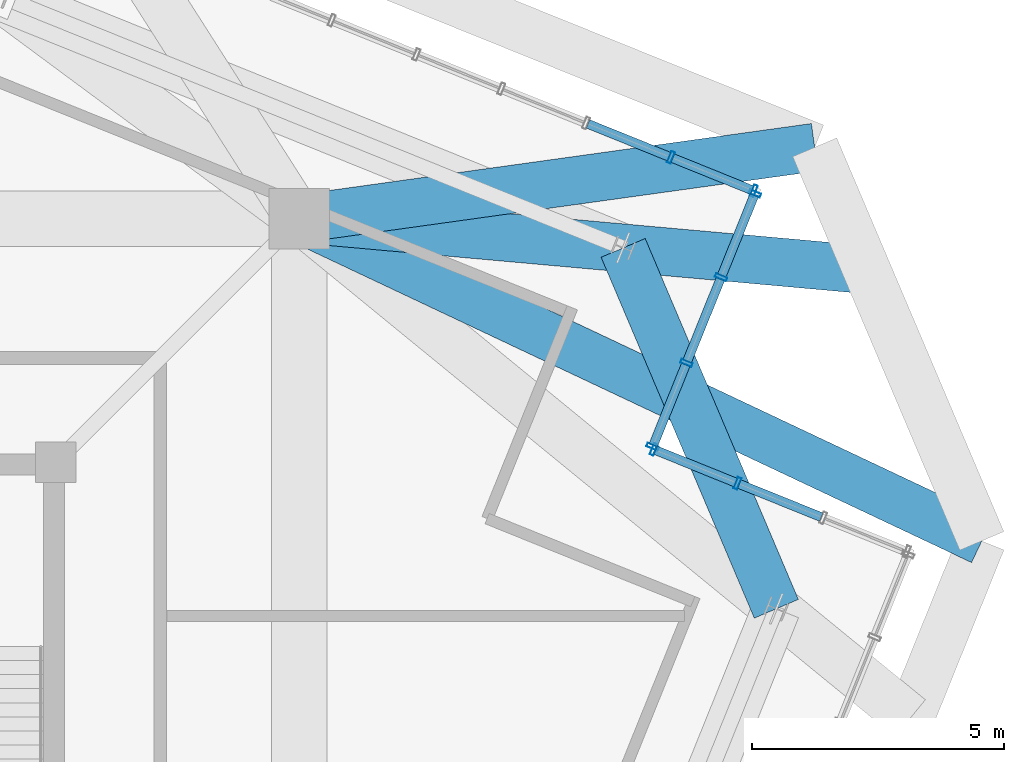
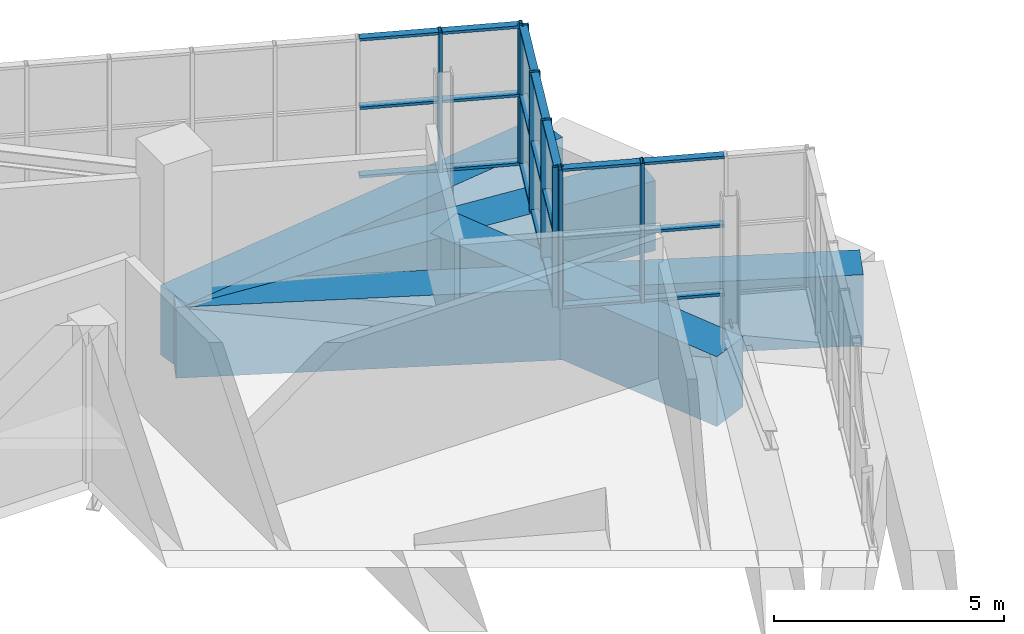
# One storey, part 25 of 35: 29 members, 4 beams, 3 elements without a shape of their own.
"""IFC4 building model written with IfcOpenShell, lengths in metres."""

from ifc_helpers import new_model, si_unit, direction, frame, origin, origin_2d, place, context, subcontext, project, spatial, rectangle, hollow_rectangle, extrude, source, transform, mapped, material, layer, layer_set, material_profile, profile_set, type_object, element, aggregate, save


model = new_model("IFC4")

# Units and contexts
model_context = context("Model", 3, precision=1e-05, world=origin(), true_north=direction((0.0, 1.0)))
body_context = subcontext(model_context, "Body", "Model", "MODEL_VIEW")
ifc_project = project(units=[si_unit("LENGTHUNIT", "METRE"), si_unit("AREAUNIT", "SQUARE_METRE"), si_unit("VOLUMEUNIT", "CUBIC_METRE"), si_unit("PLANEANGLEUNIT", "RADIAN"), si_unit("MASSUNIT", "GRAM", prefix="KILO"), si_unit("THERMODYNAMICTEMPERATUREUNIT", "KELVIN")], contexts=[model_context])

# Site, building, storey
site_placement = place(None, origin())
site = spatial("IfcSite", under=ifc_project, at=site_placement, CompositionType="ELEMENT")
building_placement = place(site_placement, origin())
building = spatial("IfcBuilding", under=site, at=building_placement, Name="Kosmvard Interchange Tower", CompositionType="ELEMENT")
storey_placement = place(building_placement, frame((0.0, 0.0, 321.60009765625)))
storey = spatial("IfcBuildingStorey", under=building, at=storey_placement, Name="L79", CompositionType="ELEMENT", Elevation=321.60009765625)

# Beams
ifc_material_1 = material(Name="Concrete C60/75", Category="concrete")
ifc_material_profile_1 = material_profile(ifc_material_1, rectangle(XDim=0.949951171875, YDim=1.85009765625, at=origin_2d()), Name="TG 950x1850")
ifc_profile_set_1 = profile_set([ifc_material_profile_1], Name="Concrete C60/75")
beam_type_1 = type_object("IfcBeamType", Name="Upper Transfer Ring Girder 950x1850 C60/75", PredefinedType="USERDEFINED", material=ifc_profile_set_1)
shared_shape_1 = source(origin(), body_context, "Body", "SweptSolid", [
    extrude(rectangle(XDim=0.949951171875, YDim=1.85009765625, at=origin_2d()), origin(), (0.0, 0.0, 1.0), 10.3212890625),
])
beam_1_placement = place(storey_placement, frame((13.0810546875, 13.0810546875, -0.925048828125), z_axis=(0.990491735984, 0.137572239014, 0.0), x_axis=(-0.137572239014, 0.990491735984, 0.0)))
element("IfcBeam", 1, at=beam_1_placement, inside=storey, type_object=beam_type_1, Name="BM-L79-LD04", ObjectType="TRANSFER_GIRDER", PredefinedType="USERDEFINED", context=body_context, shape_type="MappedRepresentation", body=[
    mapped(shared_shape_1, transform((0.0, 0.0, 0.0), scale=1.0)),
])
ifc_material_profile_2 = material_profile(ifc_material_1, rectangle(XDim=0.949951171875, YDim=1.8798828125, at=origin_2d()), Name="TG 950x1880")
ifc_profile_set_2 = profile_set([ifc_material_profile_2], Name="Concrete C60/75")
beam_type_2 = type_object("IfcBeamType", Name="Upper Long-Span Transfer Girder 950x1880 C60/75", PredefinedType="USERDEFINED", material=ifc_profile_set_2)
shared_shape_2 = source(origin(), body_context, "Body", "SweptSolid", [
    extrude(rectangle(XDim=0.949951171875, YDim=1.8798828125, at=origin_2d()), origin(), (0.0, 0.0, 1.0), 14.97119140625),
])
beam_2_placement = place(storey_placement, frame((13.0810546875, 13.0810546875, -0.940185546875), z_axis=(0.904309155001, -0.426878146761, 0.0), x_axis=(0.426878146761, 0.904309155001, 0.0)))
element("IfcBeam", 2, at=beam_2_placement, inside=storey, type_object=beam_type_2, Name="BM-L79-LD03", ObjectType="TRANSFER_GIRDER", PredefinedType="USERDEFINED", context=body_context, shape_type="MappedRepresentation", body=[
    mapped(shared_shape_2, transform((0.0, 0.0, 0.0), scale=1.0)),
])
shared_shape_3 = source(origin(), body_context, "Body", "SweptSolid", [
    extrude(rectangle(XDim=0.949951171875, YDim=1.85009765625, at=origin_2d()), origin(), (0.0, 0.0, 1.0), 11.30029296875),
])
beam_3_placement = place(storey_placement, frame((13.0810546875, 13.0810546875, -0.925048828125), z_axis=(0.995989854688, -0.089466247034, 0.0), x_axis=(0.089466247034, 0.995989854688, 0.0)))
element("IfcBeam", 3, at=beam_3_placement, inside=storey, type_object=beam_type_1, Name="BM-L79-RD04", ObjectType="TRANSFER_GIRDER", PredefinedType="USERDEFINED", context=body_context, shape_type="MappedRepresentation", body=[
    mapped(shared_shape_3, transform((0.0, 0.0, 0.0), scale=1.0)),
])
shared_shape_4 = source(origin(), body_context, "Body", "SweptSolid", [
    extrude(rectangle(XDim=0.949951171875, YDim=1.85009765625, at=origin_2d()), origin(), (0.0, 0.0, 1.0), 7.778076171875),
])
beam_4_placement = place(storey_placement, frame((22.54345703125, 5.34423828125, -0.925048828125), z_axis=(-0.39071589075, 0.92051132134, 0.0), x_axis=(-0.92051132134, -0.39071589075, 0.0)))
element("IfcBeam", 4, at=beam_4_placement, inside=storey, type_object=beam_type_1, Name="BM-L79-PR03", ObjectType="TRANSFER_GIRDER", PredefinedType="USERDEFINED", context=body_context, shape_type="MappedRepresentation", body=[
    mapped(shared_shape_4, transform((0.0, 0.0, 0.0), scale=1.0)),
])

# Curtain wall, members
ifc_material_2 = material(Name="Architectural anodised aluminium", Category="aluminium")
ifc_layer = layer(ifc_material_2, 0.25, Name="Architectural anodised aluminium")
ifc_layer_set = layer_set([ifc_layer], Name="Architectural anodised aluminium")
curtain_wall_type = type_object("IfcCurtainWallType", Name="CW-6 Illuminated Crown Lantern Curtain Wall", PredefinedType="NOTDEFINED", material=ifc_layer_set)
curtain_wall_1_placement = place(storey_placement, origin())
curtain_wall_1 = element("IfcCurtainWall", 5, at=curtain_wall_1_placement, inside=storey, type_object=curtain_wall_type, Name="L79 Crown Lantern Glazing Face 02", PredefinedType="NOTDEFINED")
ifc_material_profile_3 = material_profile(ifc_material_2, hollow_rectangle(XDim=0.239990234375, YDim=0.080078125, WallThickness=0.006103515625, at=origin_2d()), Name="CWM 240x80x6")
ifc_profile_set_3 = profile_set([ifc_material_profile_3], Name="Architectural anodised aluminium")
member_type_1 = type_object("IfcMemberType", Name="Lantern & Observation CW Mullion 240x80 Aluminium", PredefinedType="MULLION", material=ifc_profile_set_3)
shared_shape_5 = source(origin(), body_context, "Body", "SweptSolid", [
    extrude(hollow_rectangle(XDim=0.239990234375, YDim=0.080078125, WallThickness=0.006103515625, at=origin_2d()), origin(), (0.0, 0.0, 1.0), 3.699951171875),
])
member_1_placement = place(storey_placement, frame((21.7734375, 7.833984375, 0.0), z_axis=(0.0, 0.0, 1.0), x_axis=(-0.374606564822, -0.92718386612, 0.0)))
member_1 = element("IfcMember", 6, at=member_1_placement, type_object=member_type_1, Name="CW-6 mullion 3", PredefinedType="MULLION", context=body_context, shape_type="MappedRepresentation", body=[
    mapped(shared_shape_5, transform((0.0, 0.0, 0.0), scale=1.0)),
])
member_2_placement = place(storey_placement, frame((20.110595703125, 8.505859375, 0.0), z_axis=(0.0, 0.0, 1.0), x_axis=(-0.374606564822, -0.92718386612, 0.0)))
member_2 = element("IfcMember", 7, at=member_2_placement, type_object=member_type_1, Name="CW-6 mullion 4", PredefinedType="MULLION", context=body_context, shape_type="MappedRepresentation", body=[
    mapped(shared_shape_5, transform((0.0, 0.0, 0.0), scale=1.0)),
])

curtain_wall_2_placement = place(storey_placement, origin())
curtain_wall_2 = element("IfcCurtainWall", 8, at=curtain_wall_2_placement, inside=storey, type_object=curtain_wall_type, Name="L79 Crown Lantern Glazing Face 03", PredefinedType="NOTDEFINED")
member_3_placement = place(storey_placement, frame((20.088623046875, 8.557861328125, 0.0), z_axis=(0.0, 0.0, 1.0), x_axis=(-0.927183891631, 0.374606501678, 0.0)))
member_3 = element("IfcMember", 9, at=member_3_placement, type_object=member_type_1, Name="CW-6 mullion 1", PredefinedType="MULLION", context=body_context, shape_type="MappedRepresentation", body=[
    mapped(shared_shape_5, transform((0.0, 0.0, 0.0), scale=1.0)),
])
member_4_placement = place(storey_placement, frame((20.760498046875, 10.220458984375, 0.0), z_axis=(0.0, 0.0, 1.0), x_axis=(-0.927183891631, 0.374606501678, 0.0)))
member_4 = element("IfcMember", 10, at=member_4_placement, type_object=member_type_1, Name="CW-6 mullion 2", PredefinedType="MULLION", context=body_context, shape_type="MappedRepresentation", body=[
    mapped(shared_shape_5, transform((0.0, 0.0, 0.0), scale=1.0)),
])
member_5_placement = place(storey_placement, frame((21.447265625, 11.92041015625, 0.0), z_axis=(0.0, 0.0, 1.0), x_axis=(-0.927183891631, 0.374606501678, 0.0)))
member_5 = element("IfcMember", 11, at=member_5_placement, type_object=member_type_1, Name="CW-6 mullion 3", PredefinedType="MULLION", context=body_context, shape_type="MappedRepresentation", body=[
    mapped(shared_shape_5, transform((0.0, 0.0, 0.0), scale=1.0)),
])
member_6_placement = place(storey_placement, frame((22.118896484375, 13.583251953125, 0.0), z_axis=(0.0, 0.0, 1.0), x_axis=(-0.927183891631, 0.374606501678, 0.0)))
member_6 = element("IfcMember", 12, at=member_6_placement, type_object=member_type_1, Name="CW-6 mullion 4", PredefinedType="MULLION", context=body_context, shape_type="MappedRepresentation", body=[
    mapped(shared_shape_5, transform((0.0, 0.0, 0.0), scale=1.0)),
])

curtain_wall_3_placement = place(storey_placement, origin())
curtain_wall_3 = element("IfcCurtainWall", 13, at=curtain_wall_3_placement, inside=storey, type_object=curtain_wall_type, Name="L79 Crown Lantern Glazing Face 04", PredefinedType="NOTDEFINED")
member_7_placement = place(storey_placement, frame((22.096923828125, 13.63525390625, 0.0), z_axis=(0.0, 0.0, 1.0), x_axis=(-0.374606584758, -0.927183858065, 0.0)))
member_7 = element("IfcMember", 14, at=member_7_placement, type_object=member_type_1, Name="CW-6 mullion 1", PredefinedType="MULLION", context=body_context, shape_type="MappedRepresentation", body=[
    mapped(shared_shape_5, transform((0.0, 0.0, 0.0), scale=1.0)),
])
member_8_placement = place(storey_placement, frame((20.451904296875, 14.2998046875, 0.0), z_axis=(0.0, 0.0, 1.0), x_axis=(-0.374606584758, -0.927183858065, 0.0)))
member_8 = element("IfcMember", 15, at=member_8_placement, type_object=member_type_1, Name="CW-6 mullion 2", PredefinedType="MULLION", context=body_context, shape_type="MappedRepresentation", body=[
    mapped(shared_shape_5, transform((0.0, 0.0, 0.0), scale=1.0)),
])
ifc_material_profile_4 = material_profile(ifc_material_2, hollow_rectangle(XDim=0.179931640625, YDim=0.070068359375, WallThickness=0.0048828125, at=origin_2d()), Name="CWT 180x70x5")
ifc_profile_set_4 = profile_set([ifc_material_profile_4], Name="Architectural anodised aluminium")
member_type_2 = type_object("IfcMemberType", Name="Heavy Lantern CW Transom 180x70 Aluminium", PredefinedType="USERDEFINED", material=ifc_profile_set_4)
shared_shape_6 = source(origin(), body_context, "Body", "SweptSolid", [
    extrude(hollow_rectangle(XDim=0.179931640625, YDim=0.070068359375, WallThickness=0.0048828125, at=origin_2d()), origin(), (0.0, 0.0, 1.0), 1.694091796875),
])
member_9_placement = place(storey_placement, frame((22.059814453125, 13.650146484375, 0.034912109375), z_axis=(-0.927159064032, 0.374667946298, 0.0), x_axis=(-0.374667946298, -0.927159064032, 0.0)))
member_9 = element("IfcMember", 16, at=member_9_placement, type_object=member_type_2, Name="CW-6 transom 1.1", ObjectType="TRANSOM", PredefinedType="USERDEFINED", context=body_context, shape_type="MappedRepresentation", body=[
    mapped(shared_shape_6, transform((0.0, 0.0, 0.0), scale=1.0)),
])
member_10_placement = place(storey_placement, frame((22.059814453125, 13.650146484375, 1.849853515625), z_axis=(-0.927159064032, 0.374667946298, 0.0), x_axis=(-0.374667946298, -0.927159064032, 0.0)))
member_10 = element("IfcMember", 17, at=member_10_placement, type_object=member_type_2, Name="CW-6 transom 1.2", ObjectType="TRANSOM", PredefinedType="USERDEFINED", context=body_context, shape_type="MappedRepresentation", body=[
    mapped(shared_shape_6, transform((0.0, 0.0, 0.0), scale=1.0)),
])
member_11_placement = place(storey_placement, frame((22.059814453125, 13.650146484375, 3.664794921875), z_axis=(-0.927159064032, 0.374667946298, 0.0), x_axis=(-0.374667946298, -0.927159064032, 0.0)))
member_11 = element("IfcMember", 18, at=member_11_placement, type_object=member_type_2, Name="CW-6 transom 1.3", ObjectType="TRANSOM", PredefinedType="USERDEFINED", context=body_context, shape_type="MappedRepresentation", body=[
    mapped(shared_shape_6, transform((0.0, 0.0, 0.0), scale=1.0)),
])
shared_shape_7 = source(origin(), body_context, "Body", "SweptSolid", [
    extrude(hollow_rectangle(XDim=0.179931640625, YDim=0.070068359375, WallThickness=0.0048828125, at=origin_2d()), origin(), (0.0, 0.0, 1.0), 1.734130859375),
])
member_12_placement = place(storey_placement, frame((20.414794921875, 14.314697265625, 0.034912109375), z_axis=(-0.927179782522, 0.374616671924, 0.0), x_axis=(-0.374616671924, -0.927179782522, 0.0)))
member_12 = element("IfcMember", 19, at=member_12_placement, type_object=member_type_2, Name="CW-6 transom 2.1", ObjectType="TRANSOM", PredefinedType="USERDEFINED", context=body_context, shape_type="MappedRepresentation", body=[
    mapped(shared_shape_7, transform((0.0, 0.0, 0.0), scale=1.0)),
])
member_13_placement = place(storey_placement, frame((20.414794921875, 14.314697265625, 1.849853515625), z_axis=(-0.927179782522, 0.374616671924, 0.0), x_axis=(-0.374616671924, -0.927179782522, 0.0)))
member_13 = element("IfcMember", 20, at=member_13_placement, type_object=member_type_2, Name="CW-6 transom 2.2", ObjectType="TRANSOM", PredefinedType="USERDEFINED", context=body_context, shape_type="MappedRepresentation", body=[
    mapped(shared_shape_7, transform((0.0, 0.0, 0.0), scale=1.0)),
])
member_14_placement = place(storey_placement, frame((20.414794921875, 14.314697265625, 3.664794921875), z_axis=(-0.927179782522, 0.374616671924, 0.0), x_axis=(-0.374616671924, -0.927179782522, 0.0)))
member_14 = element("IfcMember", 21, at=member_14_placement, type_object=member_type_2, Name="CW-6 transom 2.3", ObjectType="TRANSOM", PredefinedType="USERDEFINED", context=body_context, shape_type="MappedRepresentation", body=[
    mapped(shared_shape_7, transform((0.0, 0.0, 0.0), scale=1.0)),
])
aggregate(curtain_wall_3, [member_7, member_8, member_9, member_10, member_11, member_12, member_13, member_14])

# Member
shared_shape_8 = source(origin(), body_context, "Body", "SweptSolid", [
    extrude(hollow_rectangle(XDim=0.179931640625, YDim=0.070068359375, WallThickness=0.0048828125, at=origin_2d()), origin(), (0.0, 0.0, 1.0), 1.71337890625),
])
member_15_placement = place(storey_placement, frame((21.736328125, 7.848876953125, 0.034912109375), z_axis=(-0.927183787829, 0.374606758599, 0.0), x_axis=(-0.374606758599, -0.927183787829, 0.0)))
member_15 = element("IfcMember", 22, at=member_15_placement, type_object=member_type_2, Name="CW-6 transom 3.1", ObjectType="TRANSOM", PredefinedType="USERDEFINED", context=body_context, shape_type="MappedRepresentation", body=[
    mapped(shared_shape_8, transform((0.0, 0.0, 0.0), scale=1.0)),
])

member_16_placement = place(storey_placement, frame((21.736328125, 7.848876953125, 1.849853515625), z_axis=(-0.927183787829, 0.374606758599, 0.0), x_axis=(-0.374606758599, -0.927183787829, 0.0)))
member_16 = element("IfcMember", 23, at=member_16_placement, type_object=member_type_2, Name="CW-6 transom 3.2", ObjectType="TRANSOM", PredefinedType="USERDEFINED", context=body_context, shape_type="MappedRepresentation", body=[
    mapped(shared_shape_8, transform((0.0, 0.0, 0.0), scale=1.0)),
])

member_17_placement = place(storey_placement, frame((21.736328125, 7.848876953125, 3.664794921875), z_axis=(-0.927183787829, 0.374606758599, 0.0), x_axis=(-0.374606758599, -0.927183787829, 0.0)))
member_17 = element("IfcMember", 24, at=member_17_placement, type_object=member_type_2, Name="CW-6 transom 3.3", ObjectType="TRANSOM", PredefinedType="USERDEFINED", context=body_context, shape_type="MappedRepresentation", body=[
    mapped(shared_shape_8, transform((0.0, 0.0, 0.0), scale=1.0)),
])

member_18_placement = place(storey_placement, frame((20.103515625, 8.594970703125, 0.034912109375), z_axis=(0.374606758599, 0.927183787829, 0.0), x_axis=(-0.927183787829, 0.374606758599, 0.0)))
member_18 = element("IfcMember", 25, at=member_18_placement, type_object=member_type_2, Name="CW-6 transom 1.1", ObjectType="TRANSOM", PredefinedType="USERDEFINED", context=body_context, shape_type="MappedRepresentation", body=[
    mapped(shared_shape_8, transform((0.0, 0.0, 0.0), scale=1.0)),
])

member_19_placement = place(storey_placement, frame((20.103515625, 8.594970703125, 1.849853515625), z_axis=(0.374606758599, 0.927183787829, 0.0), x_axis=(-0.927183787829, 0.374606758599, 0.0)))
member_19 = element("IfcMember", 26, at=member_19_placement, type_object=member_type_2, Name="CW-6 transom 1.2", ObjectType="TRANSOM", PredefinedType="USERDEFINED", context=body_context, shape_type="MappedRepresentation", body=[
    mapped(shared_shape_8, transform((0.0, 0.0, 0.0), scale=1.0)),
])

member_20_placement = place(storey_placement, frame((20.103515625, 8.594970703125, 3.664794921875), z_axis=(0.374606758599, 0.927183787829, 0.0), x_axis=(-0.927183787829, 0.374606758599, 0.0)))
member_20 = element("IfcMember", 27, at=member_20_placement, type_object=member_type_2, Name="CW-6 transom 1.3", ObjectType="TRANSOM", PredefinedType="USERDEFINED", context=body_context, shape_type="MappedRepresentation", body=[
    mapped(shared_shape_8, transform((0.0, 0.0, 0.0), scale=1.0)),
])

member_21_placement = place(storey_placement, frame((21.462158203125, 11.95751953125, 0.034912109375), z_axis=(0.374606758599, 0.927183787829, 0.0), x_axis=(-0.927183787829, 0.374606758599, 0.0)))
member_21 = element("IfcMember", 28, at=member_21_placement, type_object=member_type_2, Name="CW-6 transom 3.1", ObjectType="TRANSOM", PredefinedType="USERDEFINED", context=body_context, shape_type="MappedRepresentation", body=[
    mapped(shared_shape_8, transform((0.0, 0.0, 0.0), scale=1.0)),
])

member_22_placement = place(storey_placement, frame((21.462158203125, 11.95751953125, 1.849853515625), z_axis=(0.374606758599, 0.927183787829, 0.0), x_axis=(-0.927183787829, 0.374606758599, 0.0)))
member_22 = element("IfcMember", 29, at=member_22_placement, type_object=member_type_2, Name="CW-6 transom 3.2", ObjectType="TRANSOM", PredefinedType="USERDEFINED", context=body_context, shape_type="MappedRepresentation", body=[
    mapped(shared_shape_8, transform((0.0, 0.0, 0.0), scale=1.0)),
])

member_23_placement = place(storey_placement, frame((21.462158203125, 11.95751953125, 3.664794921875), z_axis=(0.374606758599, 0.927183787829, 0.0), x_axis=(-0.927183787829, 0.374606758599, 0.0)))
member_23 = element("IfcMember", 30, at=member_23_placement, type_object=member_type_2, Name="CW-6 transom 3.3", ObjectType="TRANSOM", PredefinedType="USERDEFINED", context=body_context, shape_type="MappedRepresentation", body=[
    mapped(shared_shape_8, transform((0.0, 0.0, 0.0), scale=1.0)),
])

shared_shape_9 = source(origin(), body_context, "Body", "SweptSolid", [
    extrude(hollow_rectangle(XDim=0.179931640625, YDim=0.070068359375, WallThickness=0.0048828125, at=origin_2d()), origin(), (0.0, 0.0, 1.0), 1.75341796875),
])
member_24_placement = place(storey_placement, frame((23.436279296875, 7.162109375, 0.034912109375), z_axis=(-0.927155350429, 0.374677135907, 0.0), x_axis=(-0.374677135907, -0.927155350429, 0.0)))
member_24 = element("IfcMember", 31, at=member_24_placement, type_object=member_type_2, Name="CW-6 transom 2.1", ObjectType="TRANSOM", PredefinedType="USERDEFINED", context=body_context, shape_type="MappedRepresentation", body=[
    mapped(shared_shape_9, transform((0.0, 0.0, 0.0), scale=1.0)),
])

member_25_placement = place(storey_placement, frame((23.436279296875, 7.162109375, 1.849853515625), z_axis=(-0.927155350429, 0.374677135907, 0.0), x_axis=(-0.374677135907, -0.927155350429, 0.0)))
member_25 = element("IfcMember", 32, at=member_25_placement, type_object=member_type_2, Name="CW-6 transom 2.2", ObjectType="TRANSOM", PredefinedType="USERDEFINED", context=body_context, shape_type="MappedRepresentation", body=[
    mapped(shared_shape_9, transform((0.0, 0.0, 0.0), scale=1.0)),
])

member_26_placement = place(storey_placement, frame((23.436279296875, 7.162109375, 3.664794921875), z_axis=(-0.927155350429, 0.374677135907, 0.0), x_axis=(-0.374677135907, -0.927155350429, 0.0)))
member_26 = element("IfcMember", 33, at=member_26_placement, type_object=member_type_2, Name="CW-6 transom 2.3", ObjectType="TRANSOM", PredefinedType="USERDEFINED", context=body_context, shape_type="MappedRepresentation", body=[
    mapped(shared_shape_9, transform((0.0, 0.0, 0.0), scale=1.0)),
])

aggregate(curtain_wall_1, [member_1, member_2, member_24, member_25, member_26, member_15, member_16, member_17])

member_27_placement = place(storey_placement, frame((20.775390625, 10.257568359375, 0.034912109375), z_axis=(0.37455743912, 0.927203712676, 0.0), x_axis=(-0.927203712676, 0.37455743912, 0.0)))
member_27 = element("IfcMember", 34, at=member_27_placement, type_object=member_type_2, Name="CW-6 transom 2.1", ObjectType="TRANSOM", PredefinedType="USERDEFINED", context=body_context, shape_type="MappedRepresentation", body=[
    mapped(shared_shape_9, transform((0.0, 0.0, 0.0), scale=1.0)),
])

member_28_placement = place(storey_placement, frame((20.775390625, 10.257568359375, 1.849853515625), z_axis=(0.37455743912, 0.927203712676, 0.0), x_axis=(-0.927203712676, 0.37455743912, 0.0)))
member_28 = element("IfcMember", 35, at=member_28_placement, type_object=member_type_2, Name="CW-6 transom 2.2", ObjectType="TRANSOM", PredefinedType="USERDEFINED", context=body_context, shape_type="MappedRepresentation", body=[
    mapped(shared_shape_9, transform((0.0, 0.0, 0.0), scale=1.0)),
])

member_29_placement = place(storey_placement, frame((20.775390625, 10.257568359375, 3.664794921875), z_axis=(0.37455743912, 0.927203712676, 0.0), x_axis=(-0.927203712676, 0.37455743912, 0.0)))
member_29 = element("IfcMember", 36, at=member_29_placement, type_object=member_type_2, Name="CW-6 transom 2.3", ObjectType="TRANSOM", PredefinedType="USERDEFINED", context=body_context, shape_type="MappedRepresentation", body=[
    mapped(shared_shape_9, transform((0.0, 0.0, 0.0), scale=1.0)),
])

aggregate(curtain_wall_2, [member_3, member_4, member_5, member_6, member_18, member_19, member_20, member_27, member_28, member_29, member_21, member_22, member_23])

save(model, "model.ifc")
